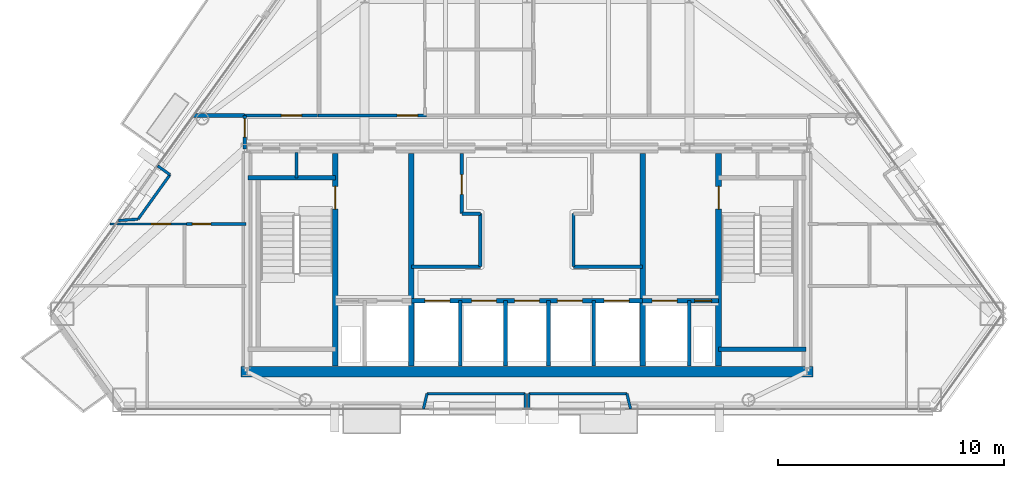
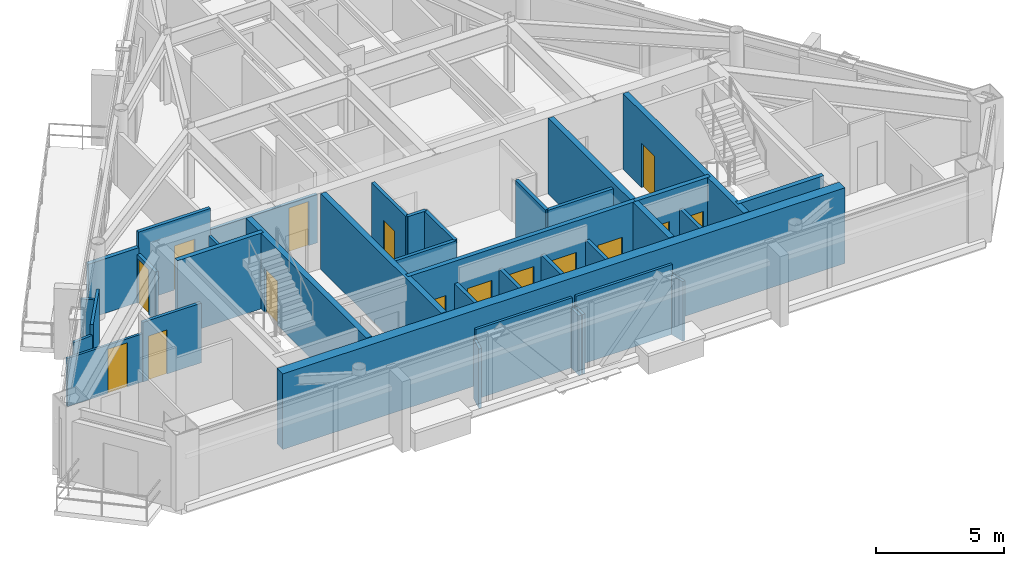
# One storey, part 8 of 12: 36 walls, 15 doors, 15 openings.
"""IFC4 building model written with IfcOpenShell, lengths in metres."""

from ifc_helpers import new_model, si_unit, direction, frame, frame_2d, origin, place, context, subcontext, project, spatial, rectangle, extrude, material, layer, layer_set, type_object, element, fill, save


model = new_model("IFC4")

# Units and contexts
model_context = context("Model", 3, precision=1e-05, world=origin(), true_north=direction((0.0, 1.0)))
body_context = subcontext(model_context, "Body", "Model", "MODEL_VIEW")
ifc_project = project(units=[si_unit("LENGTHUNIT", "METRE"), si_unit("AREAUNIT", "SQUARE_METRE"), si_unit("VOLUMEUNIT", "CUBIC_METRE"), si_unit("PLANEANGLEUNIT", "RADIAN"), si_unit("MASSUNIT", "GRAM", prefix="KILO")], contexts=[model_context])

# Site, building, storey
site_placement = place(None, origin())
site = spatial("IfcSite", under=ifc_project, at=site_placement, CompositionType="ELEMENT")
building_placement = place(site_placement, origin())
building = spatial("IfcBuilding", under=site, at=building_placement, Name="Talgorran Terracotta Tower", CompositionType="ELEMENT")
storey_placement = place(building_placement, frame((0.0, 0.0, 225.300048828125)))
storey = spatial("IfcBuildingStorey", under=building, at=storey_placement, Name="L59", CompositionType="ELEMENT", Elevation=225.300048828125)

# Walls
ifc_material_1 = material(Name="Concrete C50/60", Category="concrete")
ifc_layer_1 = layer(ifc_material_1, 0.199951171875, Name="WT_CORE_200")
ifc_layer_set_1 = layer_set([ifc_layer_1], Name="Concrete C50/60")
wall_type_1 = type_object("IfcWallType", Name="WT_CORE_200", PredefinedType="SOLIDWALL", material=ifc_layer_set_1)
for number, where, z_axis, x_axis, name in (
    (1, (-12.35009765625, -5.52001953125, 0.0), (0.0, 0.0, 1.0), (1.0, 0.0, 0.0), "WL-L59-CW-ST1-N"),
    (2, (8.47998046875, -13.10009765625, 0.0), (0.0, 0.0, 1.0), (1.0, 0.0, 0.0), "WL-L59-CW-ST2-S"),
):
    element("IfcWall", number, at=place(storey_placement, frame(where, z_axis=z_axis, x_axis=x_axis)), inside=storey, type_object=wall_type_1, Name=name, PredefinedType="SOLIDWALL", context=body_context, shape_type="SweptSolid", body=[
        extrude(rectangle(XDim=3.8701171875, YDim=0.199951171875, at=frame_2d((1.93505859375, 0.0))), origin(), (0.0, 0.0, 1.0), 3.599853515625),
    ])

# Wall, openings, doors
wall_1_placement = place(storey_placement, frame((-5.1201171875, -10.949951171875, 0.0), z_axis=(0.0, 0.0, 1.0), x_axis=(1.0, 0.0, 0.0)))
wall_1 = element("IfcWall", 3, at=wall_1_placement, inside=storey, type_object=wall_type_1, Name="WL-L59-CW-H-SBC", PredefinedType="SOLIDWALL", context=body_context, shape_type="SweptSolid", body=[
    extrude(rectangle(XDim=10.240234375, YDim=0.199951171875, at=frame_2d((5.1201171875, 0.0))), origin(), (0.0, 0.0, 1.0), 3.599853515625),
])
opening_1_placement = place(wall_1_placement, frame((0.60009765625, 0.0, 0.0)))
opening_1 = element("IfcOpeningElement", 4, at=opening_1_placement, cuts=wall_1, Name="Opening LD-OB1", PredefinedType="OPENING", context=body_context, shape_type="SweptSolid", body=[
    extrude(rectangle(XDim=1.10609765625, YDim=2.10409765625, at=frame_2d((0.550048828125, 1.052001953125))), frame((0.0, 0.10986328125, 0.0), z_axis=(0.0, -1.0, 0.0), x_axis=(1.0, 0.0, 0.0)), (0.0, 0.0, 1.0), 0.219970703125),
])
opening_2_placement = place(wall_1_placement, frame((2.669921875, 0.0, 0.0)))
opening_2 = element("IfcOpeningElement", 5, at=opening_2_placement, cuts=wall_1, Name="Opening LD-PLH1", PredefinedType="OPENING", context=body_context, shape_type="SweptSolid", body=[
    extrude(rectangle(XDim=1.10609765625, YDim=2.10409765625, at=frame_2d((0.550048828125, 1.052001953125))), frame((0.0, 0.10986328125, 0.0), z_axis=(0.0, -1.0, 0.0), x_axis=(1.0, 0.0, 0.0)), (0.0, 0.0, 1.0), 0.219970703125),
])
opening_3_placement = place(wall_1_placement, frame((4.570068359375, 0.0, 0.0)))
opening_3 = element("IfcOpeningElement", 6, at=opening_3_placement, cuts=wall_1, Name="Opening LD-PLH2", PredefinedType="OPENING", context=body_context, shape_type="SweptSolid", body=[
    extrude(rectangle(XDim=1.10609765625, YDim=2.10409765625, at=frame_2d((0.550048828125, 1.052001953125))), frame((0.0, 0.10986328125, 0.0), z_axis=(0.0, -1.0, 0.0), x_axis=(1.0, 0.0, 0.0)), (0.0, 0.0, 1.0), 0.219970703125),
])
opening_4_placement = place(wall_1_placement, frame((6.469970703125, 0.0, 0.0)))
opening_4 = element("IfcOpeningElement", 7, at=opening_4_placement, cuts=wall_1, Name="Opening LD-PLH3", PredefinedType="OPENING", context=body_context, shape_type="SweptSolid", body=[
    extrude(rectangle(XDim=1.10609765625, YDim=2.10409765625, at=frame_2d((0.550048828125, 1.052001953125))), frame((0.0, 0.10986328125, 0.0), z_axis=(0.0, -1.0, 0.0), x_axis=(1.0, 0.0, 0.0)), (0.0, 0.0, 1.0), 0.219970703125),
])
opening_5_placement = place(wall_1_placement, frame((8.5400390625, 0.0, 0.0)))
opening_5 = element("IfcOpeningElement", 8, at=opening_5_placement, cuts=wall_1, Name="Opening LD-SVL1", PredefinedType="OPENING", context=body_context, shape_type="SweptSolid", body=[
    extrude(rectangle(XDim=1.10609765625, YDim=2.10409765625, at=frame_2d((0.550048828125, 1.052001953125))), frame((0.0, 0.10986328125, 0.0), z_axis=(0.0, -1.0, 0.0), x_axis=(1.0, 0.0, 0.0)), (0.0, 0.0, 1.0), 0.219970703125),
])
ifc_material_2 = material(Name="Brushed Stainless Steel Grade 304", Category="steel")
door_type_1 = type_object("IfcDoorType", Name="DT_LIFT_LD1100", OperationType="DOUBLE_DOOR_SLIDING", PredefinedType="DOOR", material=ifc_material_2)
door_1_placement = place(opening_1_placement, origin())
door_1 = element("IfcDoor", 9, at=door_1_placement, inside=storey, type_object=door_type_1, Name="L59 Lift Landing Door LD-OB1", OperationType="DOUBLE_DOOR_SLIDING", OverallHeight=2.10009765625, OverallWidth=1.10009765625, PredefinedType="DOOR", context=body_context, shape_type="SweptSolid", body=[
    extrude(rectangle(XDim=1.10009765625, YDim=2.10009765625, at=frame_2d((0.550048828125, 1.050048828125))), frame((0.0, 0.02490234375, 0.0), z_axis=(0.0, -1.0, 0.0), x_axis=(1.0, 0.0, 0.0)), (0.0, 0.0, 1.0), 0.050048828125),
])
fill(opening_1, door_1)
door_2_placement = place(opening_2_placement, origin())
door_2 = element("IfcDoor", 10, at=door_2_placement, inside=storey, type_object=door_type_1, Name="L59 Lift Landing Door LD-PLH1", OperationType="DOUBLE_DOOR_SLIDING", OverallHeight=2.10009765625, OverallWidth=1.10009765625, PredefinedType="DOOR", context=body_context, shape_type="SweptSolid", body=[
    extrude(rectangle(XDim=1.10009765625, YDim=2.10009765625, at=frame_2d((0.550048828125, 1.050048828125))), frame((0.0, 0.02490234375, 0.0), z_axis=(0.0, -1.0, 0.0), x_axis=(1.0, 0.0, 0.0)), (0.0, 0.0, 1.0), 0.050048828125),
])
fill(opening_2, door_2)
door_3_placement = place(opening_3_placement, origin())
door_3 = element("IfcDoor", 11, at=door_3_placement, inside=storey, type_object=door_type_1, Name="L59 Lift Landing Door LD-PLH2", OperationType="DOUBLE_DOOR_SLIDING", OverallHeight=2.10009765625, OverallWidth=1.10009765625, PredefinedType="DOOR", context=body_context, shape_type="SweptSolid", body=[
    extrude(rectangle(XDim=1.10009765625, YDim=2.10009765625, at=frame_2d((0.550048828125, 1.050048828125))), frame((0.0, 0.02490234375, 0.0), z_axis=(0.0, -1.0, 0.0), x_axis=(1.0, 0.0, 0.0)), (0.0, 0.0, 1.0), 0.050048828125),
])
fill(opening_3, door_3)
door_4_placement = place(opening_4_placement, origin())
door_4 = element("IfcDoor", 12, at=door_4_placement, inside=storey, type_object=door_type_1, Name="L59 Lift Landing Door LD-PLH3", OperationType="DOUBLE_DOOR_SLIDING", OverallHeight=2.10009765625, OverallWidth=1.10009765625, PredefinedType="DOOR", context=body_context, shape_type="SweptSolid", body=[
    extrude(rectangle(XDim=1.10009765625, YDim=2.10009765625, at=frame_2d((0.550048828125, 1.050048828125))), frame((0.0, 0.02490234375, 0.0), z_axis=(0.0, -1.0, 0.0), x_axis=(1.0, 0.0, 0.0)), (0.0, 0.0, 1.0), 0.050048828125),
])
fill(opening_4, door_4)
door_5_placement = place(opening_5_placement, origin())
door_5 = element("IfcDoor", 13, at=door_5_placement, inside=storey, type_object=door_type_1, Name="L59 Lift Landing Door LD-SVL1", OperationType="DOUBLE_DOOR_SLIDING", OverallHeight=2.10009765625, OverallWidth=1.10009765625, PredefinedType="DOOR", context=body_context, shape_type="SweptSolid", body=[
    extrude(rectangle(XDim=1.10009765625, YDim=2.10009765625, at=frame_2d((0.550048828125, 1.050048828125))), frame((0.0, 0.02490234375, 0.0), z_axis=(0.0, -1.0, 0.0), x_axis=(1.0, 0.0, 0.0)), (0.0, 0.0, 1.0), 0.050048828125),
])
fill(opening_5, door_5)

wall_2_placement = place(storey_placement, frame((5.1201171875, -10.949951171875, 0.0), z_axis=(0.0, 0.0, 1.0), x_axis=(1.0, 0.0, 0.0)))
wall_2 = element("IfcWall", 14, at=wall_2_placement, inside=storey, type_object=wall_type_1, Name="WL-L59-CW-H-SBE", PredefinedType="SOLIDWALL", context=body_context, shape_type="SweptSolid", body=[
    extrude(rectangle(XDim=3.35986328125, YDim=0.199951171875, at=frame_2d((1.679931640625, 0.0))), origin(), (0.0, 0.0, 1.0), 3.599853515625),
])
opening_6_placement = place(wall_2_placement, frame((0.419921875, 0.0, 0.0)))
opening_6 = element("IfcOpeningElement", 15, at=opening_6_placement, cuts=wall_2, Name="Opening LD-FFL2", PredefinedType="OPENING", context=body_context, shape_type="SweptSolid", body=[
    extrude(rectangle(XDim=1.10609765625, YDim=2.10409765625, at=frame_2d((0.550048828125, 1.052001953125))), frame((0.0, 0.10986328125, 0.0), z_axis=(0.0, -1.0, 0.0), x_axis=(1.0, 0.0, 0.0)), (0.0, 0.0, 1.0), 0.219970703125),
])
opening_7_placement = place(wall_2_placement, frame((2.300048828125, 0.0, 0.0)))
opening_7 = element("IfcOpeningElement", 16, at=opening_7_placement, cuts=wall_2, Name="Opening DR-RSE", PredefinedType="OPENING", context=body_context, shape_type="SweptSolid", body=[
    extrude(rectangle(XDim=0.756, YDim=2.054048828125, at=frame_2d((0.375, 1.027099609375))), frame((0.0, 0.10986328125, 0.0), z_axis=(0.0, -1.0, 0.0), x_axis=(1.0, 0.0, 0.0)), (0.0, 0.0, 1.0), 0.219970703125),
])
door_6_placement = place(opening_6_placement, origin())
door_6 = element("IfcDoor", 17, at=door_6_placement, inside=storey, type_object=door_type_1, Name="L59 Lift Landing Door LD-FFL2", OperationType="DOUBLE_DOOR_SLIDING", OverallHeight=2.10009765625, OverallWidth=1.10009765625, PredefinedType="DOOR", context=body_context, shape_type="SweptSolid", body=[
    extrude(rectangle(XDim=1.10009765625, YDim=2.10009765625, at=frame_2d((0.550048828125, 1.050048828125))), frame((0.0, 0.02490234375, 0.0), z_axis=(0.0, -1.0, 0.0), x_axis=(1.0, 0.0, 0.0)), (0.0, 0.0, 1.0), 0.050048828125),
])
fill(opening_6, door_6)
ifc_material_3 = material(Name="Fire-Rated Pressed Steel", Category="steel")
door_type_2 = type_object("IfcDoorType", Name="DT_RISER_750", OperationType="NOTDEFINED", PredefinedType="DOOR", material=ifc_material_3)
door_7_placement = place(opening_7_placement, origin())
door_7 = element("IfcDoor", 18, at=door_7_placement, inside=storey, type_object=door_type_2, Name="DR-RSE", OperationType="SINGLE_SWING_RIGHT", OverallHeight=2.050048828125, OverallWidth=0.75, PredefinedType="DOOR", context=body_context, shape_type="SweptSolid", body=[
    extrude(rectangle(XDim=0.75, YDim=2.050048828125, at=frame_2d((0.375, 1.02490234375))), frame((0.0, 0.02490234375, 0.0), z_axis=(0.0, -1.0, 0.0), x_axis=(1.0, 0.0, 0.0)), (0.0, 0.0, 1.0), 0.050048828125),
])
fill(opening_7, door_7)

# Wall, opening, door
ifc_layer_2 = layer(ifc_material_1, 0.25, Name="WT_CORE_250")
ifc_layer_set_2 = layer_set([ifc_layer_2], Name="Concrete C50/60")
wall_type_2 = type_object("IfcWallType", Name="WT_CORE_250", PredefinedType="SHEAR", material=ifc_layer_set_2)
wall_3_placement = place(storey_placement, frame((-8.47998046875, -13.85009765625, 0.0), z_axis=(0.0, 0.0, 1.0), x_axis=(0.0, 1.0, 0.0)))
wall_3 = element("IfcWall", 19, at=wall_3_placement, inside=storey, type_object=wall_type_2, Name="WL-L59-CW-V-W1", PredefinedType="SHEAR", context=body_context, shape_type="SweptSolid", body=[
    extrude(rectangle(XDim=9.400146484375, YDim=0.25, at=frame_2d((4.7001953125, 0.0))), origin(), (0.0, 0.0, 1.0), 3.599853515625),
])
opening_8_placement = place(wall_3_placement, frame((6.949951171875, 0.0, 0.0)))
opening_8 = element("IfcOpeningElement", 20, at=opening_8_placement, cuts=wall_3, Name="Opening DR-ST01", PredefinedType="OPENING", context=body_context, shape_type="SweptSolid", body=[
    extrude(rectangle(XDim=1.006, YDim=2.10409765625, at=frame_2d((0.5, 1.052001953125))), frame((0.0, 0.135009765625, 0.0), z_axis=(0.0, -1.0, 0.0), x_axis=(1.0, 0.0, 0.0)), (0.0, 0.0, 1.0), 0.27001953125),
])
door_type_3 = type_object("IfcDoorType", Name="DT_FIRE_1000", OperationType="NOTDEFINED", PredefinedType="DOOR", material=ifc_material_3)
door_8_placement = place(opening_8_placement, origin())
door_8 = element("IfcDoor", 21, at=door_8_placement, inside=storey, type_object=door_type_3, Name="DR-ST01", OperationType="SINGLE_SWING_LEFT", OverallHeight=2.10009765625, OverallWidth=1.0, PredefinedType="DOOR", context=body_context, shape_type="SweptSolid", body=[
    extrude(rectangle(XDim=1.0, YDim=2.10009765625, at=frame_2d((0.5, 1.050048828125))), frame((0.0, 0.02490234375, 0.0), z_axis=(0.0, -1.0, 0.0), x_axis=(1.0, 0.0, 0.0)), (0.0, 0.0, 1.0), 0.050048828125),
])
fill(opening_8, door_8)

wall_4_placement = place(storey_placement, frame((8.47998046875, -13.85009765625, 0.0), z_axis=(0.0, 0.0, 1.0), x_axis=(0.0, 1.0, 0.0)))
wall_4 = element("IfcWall", 22, at=wall_4_placement, inside=storey, type_object=wall_type_2, Name="WL-L59-CW-V-E1", PredefinedType="SHEAR", context=body_context, shape_type="SweptSolid", body=[
    extrude(rectangle(XDim=9.400146484375, YDim=0.25, at=frame_2d((4.7001953125, 0.0))), origin(), (0.0, 0.0, 1.0), 3.599853515625),
])
opening_9_placement = place(wall_4_placement, frame((6.949951171875, 0.0, 0.0)))
opening_9 = element("IfcOpeningElement", 23, at=opening_9_placement, cuts=wall_4, Name="Opening DR-ST02", PredefinedType="OPENING", context=body_context, shape_type="SweptSolid", body=[
    extrude(rectangle(XDim=1.006, YDim=2.10409765625, at=frame_2d((0.5, 1.052001953125))), frame((0.0, 0.135009765625, 0.0), z_axis=(0.0, -1.0, 0.0), x_axis=(1.0, 0.0, 0.0)), (0.0, 0.0, 1.0), 0.27001953125),
])
door_9_placement = place(opening_9_placement, origin())
door_9 = element("IfcDoor", 24, at=door_9_placement, inside=storey, type_object=door_type_3, Name="DR-ST02", OperationType="SINGLE_SWING_RIGHT", OverallHeight=2.10009765625, OverallWidth=1.0, PredefinedType="DOOR", context=body_context, shape_type="SweptSolid", body=[
    extrude(rectangle(XDim=1.0, YDim=2.10009765625, at=frame_2d((0.5, 1.050048828125))), frame((0.0, 0.02490234375, 0.0), z_axis=(0.0, -1.0, 0.0), x_axis=(1.0, 0.0, 0.0)), (0.0, 0.0, 1.0), 0.050048828125),
])
fill(opening_9, door_9)

# Walls
for number, where, z_axis, x_axis, name in (
    (25, (-5.1201171875, -13.85009765625, 0.0), (0.0, 0.0, 1.0), (0.0, 1.0, 0.0), "WL-L59-CW-V-W2"),
    (26, (5.1201171875, -13.85009765625, 0.0), (0.0, 0.0, 1.0), (0.0, 1.0, 0.0), "WL-L59-CW-V-E2"),
):
    element("IfcWall", number, at=place(storey_placement, frame(where, z_axis=z_axis, x_axis=x_axis)), inside=storey, type_object=wall_type_2, Name=name, PredefinedType="SHEAR", context=body_context, shape_type="SweptSolid", body=[
        extrude(rectangle(XDim=9.400146484375, YDim=0.25, at=frame_2d((4.7001953125, 0.0))), origin(), (0.0, 0.0, 1.0), 3.599853515625),
    ])
ifc_material_4 = material(Name="Concrete C65/80", Category="concrete")
ifc_layer_3 = layer(ifc_material_4, 0.449951171875, Name="WT_CORE_EXT")
ifc_layer_set_3 = layer_set([ifc_layer_3], Name="Concrete C65/80")
wall_type_3 = type_object("IfcWallType", Name="WT_CORE_EXT", PredefinedType="SHEAR", material=ifc_layer_set_3)
wall_5_placement = place(storey_placement, frame((-12.64990234375, -14.10009765625, 0.0), z_axis=(0.0, 0.0, 1.0), x_axis=(1.0, 0.0, 0.0)))
element("IfcWall", 27, at=wall_5_placement, inside=storey, type_object=wall_type_3, Name="WL-L59-CW-OUT-S", PredefinedType="SHEAR", context=body_context, shape_type="SweptSolid", body=[
    extrude(rectangle(XDim=25.2998046875, YDim=0.449951171875, at=frame_2d((12.64990234375, 0.0))), origin(), (0.0, 0.0, 1.0), 3.599853515625),
])
ifc_material_5 = material(Name="Fire-Rated Steel Stud Plasterboard", Category="steel")
ifc_layer_4 = layer(ifc_material_5, 0.14990234375, Name="WT_FIRE_150")
ifc_layer_set_4 = layer_set([ifc_layer_4], Name="Fire-Rated Steel Stud Plasterboard")
wall_type_4 = type_object("IfcWallType", Name="WT_FIRE_150", PredefinedType="PARTITIONING", material=ifc_layer_set_4)
wall_6_placement = place(storey_placement, frame((-5.1201171875, -9.449951171875, 0.0), z_axis=(0.0, 0.0, 1.0), x_axis=(1.0, 0.0, 0.0)))
element("IfcWall", 28, at=wall_6_placement, inside=storey, type_object=wall_type_4, Name="WL-L59-CW-H-W4N", PredefinedType="PARTITIONING", context=body_context, shape_type="SweptSolid", body=[
    extrude(rectangle(XDim=3.06005859375, YDim=0.14990234375, at=frame_2d((1.530029296875, 0.0))), origin(), (0.0, 0.0, 1.0), 3.320068359375),
])
wall_7_placement = place(storey_placement, frame((-2.06005859375, -9.449951171875, 0.0), z_axis=(0.0, 0.0, 1.0), x_axis=(0.0, 1.0, 0.0)))
element("IfcWall", 29, at=wall_7_placement, inside=storey, type_object=wall_type_4, Name="WL-L59-CW-V-W3S2", PredefinedType="PARTITIONING", context=body_context, shape_type="SweptSolid", body=[
    extrude(rectangle(XDim=2.349853515625, YDim=0.14990234375, at=frame_2d((1.1748046875, 0.0))), origin(), (0.0, 0.0, 1.0), 3.320068359375),
])
wall_8_placement = place(storey_placement, frame((-2.8798828125, -7.10009765625, 0.0), z_axis=(0.0, 0.0, 1.0), x_axis=(1.0, 0.0, 0.0)))
element("IfcWall", 30, at=wall_8_placement, inside=storey, type_object=wall_type_4, Name="WL-L59-CW-H-W3M2", PredefinedType="PARTITIONING", context=body_context, shape_type="SweptSolid", body=[
    extrude(rectangle(XDim=0.81982421875, YDim=0.14990234375, at=frame_2d((0.409912109375, 0.0))), origin(), (0.0, 0.0, 1.0), 3.320068359375),
])

# Wall, opening, door
wall_9_placement = place(storey_placement, frame((-2.8798828125, -7.10009765625, 0.0), z_axis=(0.0, 0.0, 1.0), x_axis=(0.0, 1.0, 0.0)))
wall_9 = element("IfcWall", 31, at=wall_9_placement, inside=storey, type_object=wall_type_4, Name="WL-L59-CW-V-W3N", PredefinedType="PARTITIONING", context=body_context, shape_type="SweptSolid", body=[
    extrude(rectangle(XDim=2.650146484375, YDim=0.14990234375, at=frame_2d((1.3251953125, 0.0))), origin(), (0.0, 0.0, 1.0), 3.320068359375),
])
opening_10_placement = place(wall_9_placement, frame((0.85009765625, 0.0, 0.0)))
opening_10 = element("IfcOpeningElement", 32, at=opening_10_placement, cuts=wall_9, Name="Opening DR-FRPLL-B", PredefinedType="OPENING", context=body_context, shape_type="SweptSolid", body=[
    extrude(rectangle(XDim=0.8858828125, YDim=2.10409765625, at=frame_2d((0.43994140625, 1.052001953125))), frame((0.0, 0.0849609375, 0.0), z_axis=(0.0, -1.0, 0.0), x_axis=(1.0, 0.0, 0.0)), (0.0, 0.0, 1.0), 0.169921875),
])
ifc_material_6 = material(Name="Solid-Core Painted Timber", Category="wood")
door_type_4 = type_object("IfcDoorType", Name="DT_INT_880", OperationType="NOTDEFINED", PredefinedType="DOOR", material=ifc_material_6)
door_10_placement = place(opening_10_placement, origin())
door_10 = element("IfcDoor", 33, at=door_10_placement, inside=storey, type_object=door_type_4, Name="DR-FRPLL-B", OperationType="SINGLE_SWING_LEFT", OverallHeight=2.10009765625, OverallWidth=0.8798828125, PredefinedType="DOOR", context=body_context, shape_type="SweptSolid", body=[
    extrude(rectangle(XDim=0.8798828125, YDim=2.10009765625, at=frame_2d((0.43994140625, 1.050048828125))), frame((0.0, 0.02490234375, 0.0), z_axis=(0.0, -1.0, 0.0), x_axis=(1.0, 0.0, 0.0)), (0.0, 0.0, 1.0), 0.050048828125),
])
fill(opening_10, door_10)

# Walls
wall_10_placement = place(storey_placement, frame((2.06005859375, -9.449951171875, 0.0), z_axis=(0.0, 0.0, 1.0), x_axis=(1.0, 0.0, 0.0)))
element("IfcWall", 34, at=wall_10_placement, inside=storey, type_object=wall_type_4, Name="WL-L59-CW-H-E4N", PredefinedType="PARTITIONING", context=body_context, shape_type="SweptSolid", body=[
    extrude(rectangle(XDim=3.06005859375, YDim=0.14990234375, at=frame_2d((1.530029296875, 0.0))), origin(), (0.0, 0.0, 1.0), 3.320068359375),
])
wall_11_placement = place(storey_placement, frame((2.06005859375, -9.449951171875, 0.0), z_axis=(0.0, 0.0, 1.0), x_axis=(0.0, 1.0, 0.0)))
element("IfcWall", 35, at=wall_11_placement, inside=storey, type_object=wall_type_4, Name="WL-L59-CW-V-E3S2", PredefinedType="PARTITIONING", context=body_context, shape_type="SweptSolid", body=[
    extrude(rectangle(XDim=2.349853515625, YDim=0.14990234375, at=frame_2d((1.1748046875, 0.0))), origin(), (0.0, 0.0, 1.0), 3.320068359375),
])

# Wall, opening, door
wall_12_placement = place(storey_placement, frame((-9.260009765625, -2.760009765625, 0.0), z_axis=(0.0, 0.0, 1.0), x_axis=(1.0, 0.0, 0.0)))
wall_12 = element("IfcWall", 36, at=wall_12_placement, inside=storey, type_object=wall_type_4, Name="WL-L59-W-L59-R05", PredefinedType="PARTITIONING", context=body_context, shape_type="SweptSolid", body=[
    extrude(rectangle(XDim=4.820068359375, YDim=0.14990234375, at=frame_2d((2.41015625, 0.0))), origin(), (0.0, 0.0, 1.0), 2.294921875),
])
opening_11_placement = place(wall_12_placement, frame((3.52001953125, 0.0, 0.0)))
opening_11 = element("IfcOpeningElement", 37, at=opening_11_placement, cuts=wall_12, Name="Opening DR-L59-R15", PredefinedType="OPENING", context=body_context, shape_type="SweptSolid", body=[
    extrude(rectangle(XDim=0.90590234375, YDim=2.10409765625, at=frame_2d((0.449951171875, 1.052001953125))), frame((0.0, 0.0849609375, 0.0), z_axis=(0.0, -1.0, 0.0), x_axis=(1.0, 0.0, 0.0)), (0.0, 0.0, 1.0), 0.169921875),
])
ifc_material_7 = material(Name="Fire-Rated Timber Core", Category="wood")
door_type_5 = type_object("IfcDoorType", Name="DT_FIRE_900", OperationType="NOTDEFINED", PredefinedType="DOOR", material=ifc_material_7)
door_11_placement = place(opening_11_placement, origin())
door_11 = element("IfcDoor", 38, at=door_11_placement, inside=storey, type_object=door_type_5, Name="DR-L59-R15", OperationType="SINGLE_SWING_LEFT", OverallHeight=2.10009765625, OverallWidth=0.89990234375, PredefinedType="DOOR", context=body_context, shape_type="SweptSolid", body=[
    extrude(rectangle(XDim=0.89990234375, YDim=2.10009765625, at=frame_2d((0.449951171875, 1.050048828125))), frame((0.0, 0.02490234375, 0.0), z_axis=(0.0, -1.0, 0.0), x_axis=(1.0, 0.0, 0.0)), (0.0, 0.0, 1.0), 0.050048828125),
])
fill(opening_11, door_11)

wall_13_placement = place(storey_placement, frame((-12.5, -2.760009765625, 0.0), z_axis=(0.0, 0.0, 1.0), x_axis=(1.0, 0.0, 0.0)))
wall_13 = element("IfcWall", 39, at=wall_13_placement, inside=storey, type_object=wall_type_4, Name="WL-L59-W-L59-R03", PredefinedType="PARTITIONING", context=body_context, shape_type="SweptSolid", body=[
    extrude(rectangle(XDim=3.238037109375, YDim=0.14990234375, at=frame_2d((1.619140625, 0.0))), origin(), (0.0, 0.0, 1.0), 3.320068359375),
])
opening_12_placement = place(wall_13_placement, frame((1.62646484375, 0.0, 0.0)))
opening_12 = element("IfcOpeningElement", 40, at=opening_12_placement, cuts=wall_13, Name="Opening DR-L59-R11", PredefinedType="OPENING", context=body_context, shape_type="SweptSolid", body=[
    extrude(rectangle(XDim=0.90590234375, YDim=2.10409765625, at=frame_2d((0.449951171875, 1.052001953125))), frame((0.0, 0.0849609375, 0.0), z_axis=(0.0, -1.0, 0.0), x_axis=(1.0, 0.0, 0.0)), (0.0, 0.0, 1.0), 0.169921875),
])
door_12_placement = place(opening_12_placement, origin())
door_12 = element("IfcDoor", 41, at=door_12_placement, inside=storey, type_object=door_type_5, Name="DR-L59-R11", OperationType="SINGLE_SWING_LEFT", OverallHeight=2.10009765625, OverallWidth=0.89990234375, PredefinedType="DOOR", context=body_context, shape_type="SweptSolid", body=[
    extrude(rectangle(XDim=0.89990234375, YDim=2.10009765625, at=frame_2d((0.449951171875, 1.050048828125))), frame((0.0, 0.02490234375, 0.0), z_axis=(0.0, -1.0, 0.0), x_axis=(1.0, 0.0, 0.0)), (0.0, 0.0, 1.0), 0.050048828125),
])
fill(opening_12, door_12)

wall_14_placement = place(storey_placement, frame((-12.5, -4.239990234375, 0.0), z_axis=(0.0, 0.0, 1.0), x_axis=(0.0, 1.0, 0.0)))
wall_14 = element("IfcWall", 42, at=wall_14_placement, inside=storey, type_object=wall_type_4, Name="WL-L59-W-L59-R01", PredefinedType="PARTITIONING", context=body_context, shape_type="SweptSolid", body=[
    extrude(rectangle(XDim=1.47998046875, YDim=0.14990234375, at=frame_2d((0.739990234375, 0.0))), origin(), (0.0, 0.0, 1.0), 2.294921875),
])
opening_13_placement = place(wall_14_placement, frame((0.521728515625, 0.0, 0.0)))
opening_13 = element("IfcOpeningElement", 43, at=opening_13_placement, cuts=wall_14, Name="Opening DR-L59-R01", PredefinedType="OPENING", context=body_context, shape_type="SweptSolid", body=[
    extrude(rectangle(XDim=0.826068359375, YDim=2.10409765625, at=frame_2d((0.41015625, 1.052001953125))), frame((0.0, 0.0849609375, 0.0), z_axis=(0.0, -1.0, 0.0), x_axis=(1.0, 0.0, 0.0)), (0.0, 0.0, 1.0), 0.169921875),
])
ifc_material_8 = material(Name="Moisture-Resistant Solid Timber", Category="wood")
door_type_6 = type_object("IfcDoorType", Name="DT_INT_820", OperationType="NOTDEFINED", PredefinedType="DOOR", material=ifc_material_8)
door_13_placement = place(opening_13_placement, origin())
door_13 = element("IfcDoor", 44, at=door_13_placement, inside=storey, type_object=door_type_6, Name="DR-L59-R01", OperationType="SINGLE_SWING_LEFT", OverallHeight=2.10009765625, OverallWidth=0.820068359375, PredefinedType="DOOR", context=body_context, shape_type="SweptSolid", body=[
    extrude(rectangle(XDim=0.820068359375, YDim=2.10009765625, at=frame_2d((0.41015625, 1.050048828125))), frame((0.0, 0.02490234375, 0.0), z_axis=(0.0, -1.0, 0.0), x_axis=(1.0, 0.0, 0.0)), (0.0, 0.0, 1.0), 0.050048828125),
])
fill(opening_13, door_13)

# Wall
ifc_material_9 = material(Name="Acoustic Stud and Plasterboard")
ifc_layer_5 = layer(ifc_material_9, 0.179931640625, Name="WT_PARTY_200")
ifc_layer_set_5 = layer_set([ifc_layer_5], Name="Acoustic Stud and Plasterboard")
wall_type_5 = type_object("IfcWallType", Name="WT_PARTY_200", PredefinedType="PARTITIONING", material=ifc_layer_set_5)
wall_15_placement = place(storey_placement, frame((-14.75732421875, -2.760009765625, 0.0), z_axis=(0.0, 0.0, 1.0), x_axis=(1.0, 0.0, 0.0)))
element("IfcWall", 45, at=wall_15_placement, inside=storey, type_object=wall_type_5, Name="WL-L59-W-L59-R11", PredefinedType="PARTITIONING", context=body_context, shape_type="SweptSolid", body=[
    extrude(rectangle(XDim=2.25732421875, YDim=0.179931640625, at=frame_2d((1.128662109375, 0.0))), origin(), (0.0, 0.0, 1.0), 2.594970703125),
])

# Wall, opening, door
ifc_material_10 = material(Name="Lightweight Steel Stud Partition", Category="steel")
ifc_layer_6 = layer(ifc_material_10, 0.10498046875, Name="WT_PART_110")
ifc_layer_set_6 = layer_set([ifc_layer_6], Name="Lightweight Steel Stud Partition")
wall_type_6 = type_object("IfcWallType", Name="WT_PART_110", PredefinedType="PARTITIONING", material=ifc_layer_set_6)
wall_16_placement = place(storey_placement, frame((-18.4599609375, -7.56005859375, 0.0), z_axis=(0.0, 0.0, 1.0), x_axis=(1.0, 0.0, 0.0)))
wall_16 = element("IfcWall", 46, at=wall_16_placement, inside=storey, type_object=wall_type_6, Name="WL-L59-W-L59-R10", PredefinedType="PARTITIONING", context=body_context, shape_type="SweptSolid", body=[
    extrude(rectangle(XDim=3.3798828125, YDim=0.10498046875, at=frame_2d((1.68994140625, 0.0))), origin(), (0.0, 0.0, 1.0), 2.294921875),
])
opening_14_placement = place(wall_16_placement, frame((1.820068359375, 0.0, 0.0)))
opening_14 = element("IfcOpeningElement", 47, at=opening_14_placement, cuts=wall_16, Name="Opening DR-L59-R03", PredefinedType="OPENING", context=body_context, shape_type="SweptSolid", body=[
    extrude(rectangle(XDim=0.8858828125, YDim=2.10409765625, at=frame_2d((0.43994140625, 1.052001953125))), frame((0.0, 0.0625, 0.0), z_axis=(0.0, -1.0, 0.0), x_axis=(1.0, 0.0, 0.0)), (0.0, 0.0, 1.0), 0.125),
])
door_14_placement = place(opening_14_placement, origin())
door_14 = element("IfcDoor", 48, at=door_14_placement, inside=storey, type_object=door_type_4, Name="DR-L59-R03", OperationType="SINGLE_SWING_LEFT", OverallHeight=2.10009765625, OverallWidth=0.8798828125, PredefinedType="DOOR", context=body_context, shape_type="SweptSolid", body=[
    extrude(rectangle(XDim=0.8798828125, YDim=2.10009765625, at=frame_2d((0.43994140625, 1.050048828125))), frame((0.0, 0.02490234375, 0.0), z_axis=(0.0, -1.0, 0.0), x_axis=(1.0, 0.0, 0.0)), (0.0, 0.0, 1.0), 0.050048828125),
])
fill(opening_14, door_14)

# Walls
ifc_material_11 = material(Name="Insulated Steel Stud Plasterboard", Category="steel")
ifc_layer_7 = layer(ifc_material_11, 0.1201171875, Name="WT_PART_120")
ifc_layer_set_7 = layer_set([ifc_layer_7], Name="Insulated Steel Stud Plasterboard")
wall_type_7 = type_object("IfcWallType", Name="WT_PART_120", PredefinedType="PARTITIONING", material=ifc_layer_set_7)
wall_17_placement = place(storey_placement, frame((-10.199951171875, -5.52001953125, 0.0), z_axis=(0.0, 0.0, 1.0), x_axis=(0.0, 1.0, 0.0)))
element("IfcWall", 49, at=wall_17_placement, inside=storey, type_object=wall_type_7, Name="WL-L59-CW-CSW-DIV", PredefinedType="PARTITIONING", context=body_context, shape_type="SweptSolid", body=[
    extrude(rectangle(XDim=1.1201171875, YDim=0.1201171875, at=frame_2d((0.56005859375, 0.0))), origin(), (0.0, 0.0, 1.0), 3.320068359375),
])
for number, where, z_axis, x_axis, name in (
    (50, (-4.423095703125, -15.072265625, 0.0), (0.0, 0.0, 1.0), (1.0, 0.0, 0.0), "WL-L59-BW-L59-01"),
    (51, (0.08056640625, -15.072265625, 0.0), (0.0, 0.0, 1.0), (1.0, 0.0, 0.0), "WL-L59-BW-L59-06"),
):
    element("IfcWall", number, at=place(storey_placement, frame(where, z_axis=z_axis, x_axis=x_axis)), inside=storey, type_object=wall_type_7, Name=name, PredefinedType="PARTITIONING", context=body_context, shape_type="SweptSolid", body=[
        extrude(rectangle(XDim=4.342529296875, YDim=0.1201171875, at=frame_2d((2.17138671875, 0.0))), origin(), (0.0, 0.0, 1.0), 3.320068359375),
    ])
wall_18_placement = place(storey_placement, frame((-15.801025390625, -5.38037109375, 0.0), z_axis=(0.0, 0.0, 1.0), x_axis=(-0.583201664134, -0.812327408716, 0.0)))
element("IfcWall", 52, at=wall_18_placement, inside=storey, type_object=wall_type_7, Name="WL-L59-BW-L59-08", PredefinedType="PARTITIONING", context=body_context, shape_type="SweptSolid", body=[
    extrude(rectangle(XDim=2.4208984375, YDim=0.1201171875, at=frame_2d((1.21044921875, 0.0))), origin(), (0.0, 0.0, 1.0), 3.320068359375),
])
wall_19_placement = place(storey_placement, frame((-17.212890625, -7.346923828125, 0.0), z_axis=(0.0, 0.0, 1.0), x_axis=(-0.997593647417, -0.069331916407, 0.0)))
element("IfcWall", 53, at=wall_19_placement, inside=storey, type_object=wall_type_7, Name="WL-L59-BW-L59-09", PredefinedType="PARTITIONING", context=body_context, shape_type="SweptSolid", body=[
    extrude(rectangle(XDim=0.869873046875, YDim=0.1201171875, at=frame_2d((0.43505859375, 0.0))), origin(), (0.0, 0.0, 1.0), 2.837890625),
])
for number, where, z_axis, x_axis, name in (
    (54, (-4.583984375, -15.7421875, 0.0), (0.0, 0.0, 1.0), (0.233520374611, 0.972351908849, 0.0), "WL-L59-BW-L59-03"),
    (55, (4.423095703125, -15.072265625, 0.0), (0.0, 0.0, 1.0), (0.233520374611, -0.972351908849, 0.0), "WL-L59-BW-L59-04"),
):
    element("IfcWall", number, at=place(storey_placement, frame(where, z_axis=z_axis, x_axis=x_axis)), inside=storey, type_object=wall_type_7, Name=name, PredefinedType="PARTITIONING", context=body_context, shape_type="SweptSolid", body=[
        extrude(rectangle(XDim=0.68896484375, YDim=0.1201171875, at=frame_2d((0.344482421875, 0.0))), origin(), (0.0, 0.0, 1.0), 2.837890625),
    ])
wall_20_placement = place(storey_placement, frame((-16.345458984375, -4.989501953125, 0.0), z_axis=(0.0, 0.0, 1.0), x_axis=(0.812328158573, -0.583200619675, 0.0)))
element("IfcWall", 56, at=wall_20_placement, inside=storey, type_object=wall_type_7, Name="WL-L59-BW-L59-07", PredefinedType="PARTITIONING", context=body_context, shape_type="SweptSolid", body=[
    extrude(rectangle(XDim=0.670166015625, YDim=0.1201171875, at=frame_2d((0.3349609375, 0.0))), origin(), (0.0, 0.0, 1.0), 2.837890625),
])
for number, where, z_axis, x_axis, name in (
    (57, (-0.08056640625, -15.072265625, 0.0), (0.0, 0.0, 1.0), (0.0, -1.0, 0.0), "WL-L59-BW-L59-02"),
    (58, (0.08056640625, -15.7421875, 0.0), (0.0, 0.0, 1.0), (0.0, 1.0, 0.0), "WL-L59-BW-L59-05"),
):
    element("IfcWall", number, at=place(storey_placement, frame(where, z_axis=z_axis, x_axis=x_axis)), inside=storey, type_object=wall_type_7, Name=name, PredefinedType="PARTITIONING", context=body_context, shape_type="SweptSolid", body=[
        extrude(rectangle(XDim=0.669921875, YDim=0.1201171875, at=frame_2d((0.3349609375, 0.0))), origin(), (0.0, 0.0, 1.0), 2.837890625),
    ])

# Wall, opening, door
ifc_material_12 = material(Name="Moisture-Resistant Stud Wall")
ifc_layer_8 = layer(ifc_material_12, 0.135009765625, Name="WT_PART_135")
ifc_layer_set_8 = layer_set([ifc_layer_8], Name="Moisture-Resistant Stud Wall")
wall_type_8 = type_object("IfcWallType", Name="WT_PART_135", PredefinedType="PARTITIONING", material=ifc_layer_set_8)
wall_21_placement = place(storey_placement, frame((-15.077880859375, -7.56005859375, 0.0), z_axis=(0.0, 0.0, 1.0), x_axis=(1.0, 0.0, 0.0)))
wall_21 = element("IfcWall", 59, at=wall_21_placement, inside=storey, type_object=wall_type_8, Name="WL-L59-W-L59-R09", PredefinedType="PARTITIONING", context=body_context, shape_type="SweptSolid", body=[
    extrude(rectangle(XDim=2.637939453125, YDim=0.135009765625, at=frame_2d((1.31884765625, 0.0))), origin(), (0.0, 0.0, 1.0), 2.837890625),
])
opening_15_placement = place(wall_21_placement, frame((0.2705078125, 0.0, 0.0)))
opening_15 = element("IfcOpeningElement", 60, at=opening_15_placement, cuts=wall_21, Name="Opening DR-L59-R02", PredefinedType="OPENING", context=body_context, shape_type="SweptSolid", body=[
    extrude(rectangle(XDim=0.826068359375, YDim=2.10409765625, at=frame_2d((0.41015625, 1.052001953125))), frame((0.0, 0.07763671875, 0.0), z_axis=(0.0, -1.0, 0.0), x_axis=(1.0, 0.0, 0.0)), (0.0, 0.0, 1.0), 0.155029296875),
])
door_15_placement = place(opening_15_placement, origin())
door_15 = element("IfcDoor", 61, at=door_15_placement, inside=storey, type_object=door_type_6, Name="DR-L59-R02", OperationType="SINGLE_SWING_RIGHT", OverallHeight=2.10009765625, OverallWidth=0.820068359375, PredefinedType="DOOR", context=body_context, shape_type="SweptSolid", body=[
    extrude(rectangle(XDim=0.820068359375, YDim=2.10009765625, at=frame_2d((0.41015625, 1.050048828125))), frame((0.0, 0.02490234375, 0.0), z_axis=(0.0, -1.0, 0.0), x_axis=(1.0, 0.0, 0.0)), (0.0, 0.0, 1.0), 0.050048828125),
])
fill(opening_15, door_15)

# Walls
ifc_material_13 = material(Name="Fire-Rated Shaftwall")
ifc_layer_9 = layer(ifc_material_13, 0.159912109375, Name="WT_PART_150")
ifc_layer_set_9 = layer_set([ifc_layer_9], Name="Fire-Rated Shaftwall")
wall_type_9 = type_object("IfcWallType", Name="WT_PART_150", PredefinedType="PARTITIONING", material=ifc_layer_set_9)
for number, where, z_axis, x_axis, name in (
    (62, (7.179931640625, -13.85009765625, 0.0), (0.0, 0.0, 1.0), (0.0, 1.0, 0.0), "WL-L59-CW-RSE"),
    (63, (-2.949951171875, -13.85009765625, 0.0), (0.0, 0.0, 1.0), (0.0, 1.0, 0.0), "WL-L59-CW-OB-E"),
    (64, (2.949951171875, -13.85009765625, 0.0), (0.0, 0.0, 1.0), (0.0, 1.0, 0.0), "WL-L59-CW-SV-W"),
    (65, (-0.949951171875, -13.85009765625, 0.0), (0.0, 0.0, 1.0), (0.0, 1.0, 0.0), "WL-L59-CW-PLH-D1"),
    (66, (0.949951171875, -13.85009765625, 0.0), (0.0, 0.0, 1.0), (0.0, 1.0, 0.0), "WL-L59-CW-PLH-D2"),
):
    element("IfcWall", number, at=place(storey_placement, frame(where, z_axis=z_axis, x_axis=x_axis)), inside=storey, type_object=wall_type_9, Name=name, PredefinedType="PARTITIONING", context=body_context, shape_type="SweptSolid", body=[
        extrude(rectangle(XDim=2.900146484375, YDim=0.159912109375, at=frame_2d((1.4501953125, 0.0))), origin(), (0.0, 0.0, 1.0), 2.544921875),
    ])

save(model, "model.ifc")
